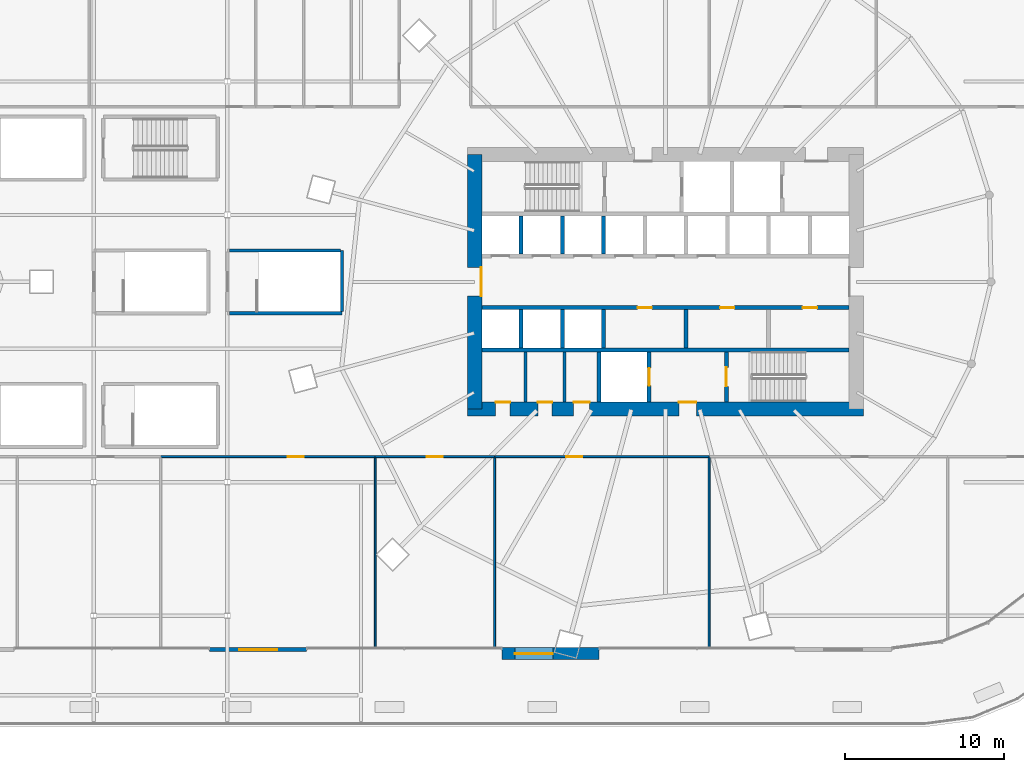
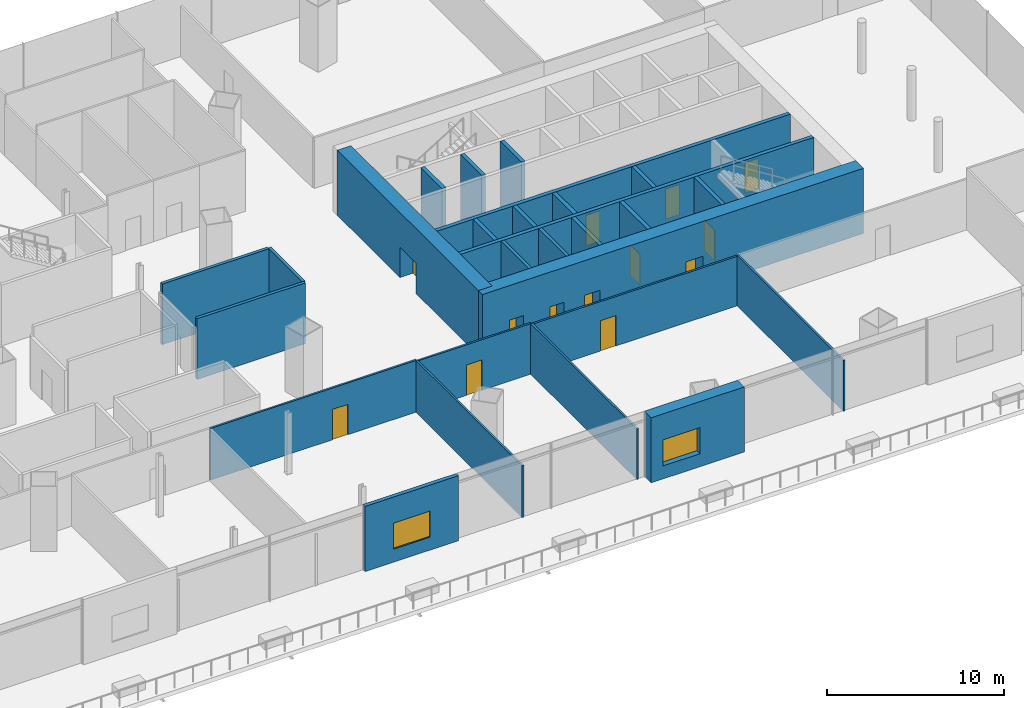
# One storey, part 36 of 49: 27 walls, 13 doors, 2 windows, 15 openings.
"""IFC4 building model written with IfcOpenShell, lengths in metres."""

from ifc_helpers import new_model, si_unit, direction, frame, frame_2d, origin, place, context, subcontext, project, spatial, rectangle, extrude, material, layer, layer_set, type_object, element, fill, save


model = new_model("IFC4")

# Units and contexts
model_context = context("Model", 3, precision=1e-05, world=origin(), true_north=direction((0.0, 1.0)))
body_context = subcontext(model_context, "Body", "Model", "MODEL_VIEW")
ifc_project = project(units=[si_unit("LENGTHUNIT", "METRE"), si_unit("AREAUNIT", "SQUARE_METRE"), si_unit("VOLUMEUNIT", "CUBIC_METRE"), si_unit("PLANEANGLEUNIT", "RADIAN"), si_unit("MASSUNIT", "GRAM", prefix="KILO")], contexts=[model_context])

# Site, building, storey
site_placement = place(None, origin())
site = spatial("IfcSite", under=ifc_project, at=site_placement, CompositionType="ELEMENT")
building_placement = place(site_placement, origin())
building = spatial("IfcBuilding", under=site, at=building_placement, Name="Rimbun Link Towers", CompositionType="ELEMENT")
storey_placement = place(building_placement, frame((0.0, 0.0, 25.5)))
storey = spatial("IfcBuildingStorey", under=building, at=storey_placement, Name="L05", CompositionType="ELEMENT", Elevation=25.5)

# Walls
ifc_material_1 = material(Name="Masonry blockwork", Category="masonry")
ifc_layer_1 = layer(ifc_material_1, 0.199951171875)
ifc_layer_set_1 = layer_set([ifc_layer_1], Name="Core partition 200")
wall_type_1 = type_object("IfcWallType", Name="Core partition 200", PredefinedType="PARTITIONING", material=ifc_layer_set_1)
for number, where, z_axis, x_axis, name in (
    (1, (22.949951171875, -4.39990234375, 0.0), (0.0, 0.0, 1.0), (0.0, -1.0, 0.0), "L05 T2 core wall C1"),
    (2, (25.39990234375, -4.39990234375, 0.0), (0.0, 0.0, 1.0), (0.0, -1.0, 0.0), "L05 T2 core wall C2"),
):
    element("IfcWall", number, at=place(storey_placement, frame(where, z_axis=z_axis, x_axis=x_axis)), inside=storey, type_object=wall_type_1, Name=name, PredefinedType="PARTITIONING", context=body_context, shape_type="SweptSolid", body=[
        extrude(rectangle(XDim=3.150146484375, YDim=0.199951171875, at=frame_2d((1.5751953125, 0.0))), origin(), (0.0, 0.0, 1.0), 4.5),
    ])

# Wall, openings, doors
ifc_material_2 = material(Name="Concrete C60/75", Category="concrete")
ifc_layer_2 = layer(ifc_material_2, 0.89990234375)
ifc_layer_set_2 = layer_set([ifc_layer_2], Name="Core shear wall 900")
wall_type_2 = type_object("IfcWallType", Name="Core shear wall 900", PredefinedType="SHEAR", material=ifc_layer_set_2)
wall_1_placement = place(storey_placement, frame((19.300048828125, -8.0, 0.0), z_axis=(0.0, 0.0, 1.0), x_axis=(1.0, 0.0, 0.0)))
wall_1 = element("IfcWall", 3, at=wall_1_placement, inside=storey, type_object=wall_type_2, Name="L05 T2 core wall S", PredefinedType="SHEAR", context=body_context, shape_type="SweptSolid", body=[
    extrude(rectangle(XDim=24.89990234375, YDim=0.89990234375, at=frame_2d((12.449951171875, 0.0))), origin(), (0.0, 0.0, 1.0), 4.5),
])
opening_1_placement = place(wall_1_placement, frame((13.300048828125, 0.0, 0.0)))
opening_1 = element("IfcOpeningElement", 4, at=opening_1_placement, cuts=wall_1, Name="Opening C2DCF01S", PredefinedType="OPENING", context=body_context, shape_type="SweptSolid", body=[
    extrude(rectangle(XDim=1.10009765625, YDim=2.10009765625, at=frame_2d((0.550048828125, 1.050048828125))), frame((0.0, 0.4599609375, 0.0), z_axis=(0.0, -1.0, 0.0), x_axis=(1.0, 0.0, 0.0)), (0.0, 0.0, 1.0), 0.919921875),
])
opening_2_placement = place(wall_1_placement, frame((1.77490234375, 0.0, 0.0)))
opening_2 = element("IfcOpeningElement", 5, at=opening_2_placement, cuts=wall_1, Name="Opening C2DWC02S", PredefinedType="OPENING", context=body_context, shape_type="SweptSolid", body=[
    extrude(rectangle(XDim=0.89990234375, YDim=2.10009765625, at=frame_2d((0.449951171875, 1.050048828125))), frame((0.0, 0.4599609375, 0.0), z_axis=(0.0, -1.0, 0.0), x_axis=(1.0, 0.0, 0.0)), (0.0, 0.0, 1.0), 0.919921875),
])
opening_3_placement = place(wall_1_placement, frame((4.425048828125, 0.0, 0.0)))
opening_3 = element("IfcOpeningElement", 6, at=opening_3_placement, cuts=wall_1, Name="Opening C2DWC03S", PredefinedType="OPENING", context=body_context, shape_type="SweptSolid", body=[
    extrude(rectangle(XDim=0.89990234375, YDim=2.10009765625, at=frame_2d((0.449951171875, 1.050048828125))), frame((0.0, 0.4599609375, 0.0), z_axis=(0.0, -1.0, 0.0), x_axis=(1.0, 0.0, 0.0)), (0.0, 0.0, 1.0), 0.919921875),
])
opening_4_placement = place(wall_1_placement, frame((6.675048828125, 0.0, 0.0)))
opening_4 = element("IfcOpeningElement", 7, at=opening_4_placement, cuts=wall_1, Name="Opening C2DAW04S", PredefinedType="OPENING", context=body_context, shape_type="SweptSolid", body=[
    extrude(rectangle(XDim=1.0, YDim=2.10009765625, at=frame_2d((0.5, 1.050048828125))), frame((0.0, 0.4599609375, 0.0), z_axis=(0.0, -1.0, 0.0), x_axis=(1.0, 0.0, 0.0)), (0.0, 0.0, 1.0), 0.919921875),
])
ifc_material_3 = material(Name="Timber", Category="wood")
door_type_1 = type_object("IfcDoorType", Name="Accessible WC door", OperationType="SINGLE_SWING_LEFT", PredefinedType="DOOR", material=ifc_material_3)
door_1_placement = place(opening_4_placement, origin())
door_1 = element("IfcDoor", 8, at=door_1_placement, inside=storey, type_object=door_type_1, Name="L05 T2 accessible wc door", OperationType="SINGLE_SWING_RIGHT", OverallHeight=2.10009765625, OverallWidth=1.0, PredefinedType="DOOR", context=body_context, shape_type="SweptSolid", body=[
    extrude(rectangle(XDim=1.0, YDim=2.10009765625, at=frame_2d((0.5, 1.050048828125))), frame((0.0, 0.4501953125, 0.0), z_axis=(0.0, -1.0, 0.0), x_axis=(1.0, 0.0, 0.0)), (0.0, 0.0, 1.0), 0.050048828125),
])
fill(opening_4, door_1)
ifc_material_4 = material(Name="Steel fire door set", Category="steel")
door_type_2 = type_object("IfcDoorType", Name="Core fire door single", OperationType="SINGLE_SWING_LEFT", PredefinedType="DOOR", material=ifc_material_4)
door_2_placement = place(opening_1_placement, origin())
door_2 = element("IfcDoor", 9, at=door_2_placement, inside=storey, type_object=door_type_2, Name="L05 T2 firefighting lobby s door", OperationType="SINGLE_SWING_RIGHT", OverallHeight=2.10009765625, OverallWidth=1.10009765625, PredefinedType="DOOR", context=body_context, shape_type="SweptSolid", body=[
    extrude(rectangle(XDim=1.10009765625, YDim=2.10009765625, at=frame_2d((0.550048828125, 1.050048828125))), frame((0.0, 0.4501953125, 0.0), z_axis=(0.0, -1.0, 0.0), x_axis=(1.0, 0.0, 0.0)), (0.0, 0.0, 1.0), 0.050048828125),
])
fill(opening_1, door_2)
ifc_material_5 = material(Name="Timber", Category="wood")
door_type_3 = type_object("IfcDoorType", Name="WC door", OperationType="SINGLE_SWING_LEFT", PredefinedType="DOOR", material=ifc_material_5)
door_3_placement = place(opening_2_placement, origin())
door_3 = element("IfcDoor", 10, at=door_3_placement, inside=storey, type_object=door_type_3, Name="L05 T2 male wc door", OperationType="SINGLE_SWING_RIGHT", OverallHeight=2.10009765625, OverallWidth=0.89990234375, PredefinedType="DOOR", context=body_context, shape_type="SweptSolid", body=[
    extrude(rectangle(XDim=0.89990234375, YDim=2.10009765625, at=frame_2d((0.449951171875, 1.050048828125))), frame((0.0, 0.4501953125, 0.0), z_axis=(0.0, -1.0, 0.0), x_axis=(1.0, 0.0, 0.0)), (0.0, 0.0, 1.0), 0.050048828125),
])
fill(opening_2, door_3)
door_4_placement = place(opening_3_placement, origin())
door_4 = element("IfcDoor", 11, at=door_4_placement, inside=storey, type_object=door_type_3, Name="L05 T2 female wc door", OperationType="SINGLE_SWING_RIGHT", OverallHeight=2.10009765625, OverallWidth=0.89990234375, PredefinedType="DOOR", context=body_context, shape_type="SweptSolid", body=[
    extrude(rectangle(XDim=0.89990234375, YDim=2.10009765625, at=frame_2d((0.449951171875, 1.050048828125))), frame((0.0, 0.4501953125, 0.0), z_axis=(0.0, -1.0, 0.0), x_axis=(1.0, 0.0, 0.0)), (0.0, 0.0, 1.0), 0.050048828125),
])
fill(opening_3, door_4)

# Wall, opening, door
wall_2_placement = place(storey_placement, frame((19.75, -8.0, 0.0), z_axis=(0.0, 0.0, 1.0), x_axis=(0.0, 1.0, 0.0)))
wall_2 = element("IfcWall", 12, at=wall_2_placement, inside=storey, type_object=wall_type_2, Name="L05 T2 core wall W", PredefinedType="SHEAR", context=body_context, shape_type="SweptSolid", body=[
    extrude(rectangle(XDim=16.0, YDim=0.89990234375, at=frame_2d((8.0, 0.0))), origin(), (0.0, 0.0, 1.0), 4.5),
])
opening_5_placement = place(wall_2_placement, frame((7.10009765625, 0.0, 0.0)))
opening_5 = element("IfcOpeningElement", 13, at=opening_5_placement, cuts=wall_2, Name="Opening C2DCL01W", PredefinedType="OPENING", context=body_context, shape_type="SweptSolid", body=[
    extrude(rectangle(XDim=1.800048828125, YDim=2.10009765625, at=frame_2d((0.89990234375, 1.050048828125))), frame((0.0, 0.4599609375, 0.0), z_axis=(0.0, -1.0, 0.0), x_axis=(1.0, 0.0, 0.0)), (0.0, 0.0, 1.0), 0.919921875),
])
ifc_material_6 = material(Name="Steel fire door set", Category="steel")
door_type_4 = type_object("IfcDoorType", Name="Core lobby door double", OperationType="DOUBLE_DOOR_SINGLE_SWING", PredefinedType="DOOR", material=ifc_material_6)
door_5_placement = place(opening_5_placement, origin())
door_5 = element("IfcDoor", 14, at=door_5_placement, inside=storey, type_object=door_type_4, Name="L05 T2 lift lobby door", OperationType="DOUBLE_DOOR_SINGLE_SWING", OverallHeight=2.10009765625, OverallWidth=1.800048828125, PredefinedType="DOOR", context=body_context, shape_type="SweptSolid", body=[
    extrude(rectangle(XDim=1.800048828125, YDim=2.10009765625, at=frame_2d((0.89990234375, 1.050048828125))), frame((0.0, -0.39990234375, 0.0), z_axis=(0.0, -1.0, 0.0), x_axis=(1.0, 0.0, 0.0)), (0.0, 0.0, 1.0), 0.050048828125),
])
fill(opening_5, door_5)

# Wall, opening, window
ifc_material_7 = material(Name="Concrete C32/40, terracotta rainscreen cladding", Category="masonry")
ifc_layer_3 = layer(ifc_material_7, 0.25)
ifc_layer_set_3 = layer_set([ifc_layer_3], Name="PD solid bay wall 250")
wall_type_3 = type_object("IfcWallType", Name="PD solid bay wall 250", PredefinedType="STANDARD", material=ifc_layer_set_3)
wall_3_placement = place(storey_placement, frame((9.179931640625, -23.125, 0.0), z_axis=(0.0, 0.0, 1.0), x_axis=(-1.0, 0.0, 0.0)))
wall_3 = element("IfcWall", 15, at=wall_3_placement, inside=storey, type_object=wall_type_3, Name="Solid bay wall", PredefinedType="STANDARD", context=body_context, shape_type="SweptSolid", body=[
    extrude(rectangle(XDim=6.09326171875, YDim=0.25, at=frame_2d((3.046630859375, 0.0))), origin(), (0.0, 0.0, 1.0), 4.5),
])
opening_6_placement = place(wall_3_placement, frame((1.8466796875, 0.0, 0.89990234375)))
opening_6 = element("IfcOpeningElement", 16, at=opening_6_placement, cuts=wall_3, Name="Opening WN21", PredefinedType="OPENING", context=body_context, shape_type="SweptSolid", body=[
    extrude(rectangle(XDim=2.39990234375, YDim=1.800048828125, at=frame_2d((1.199951171875, 0.89990234375))), frame((0.0, 0.135009765625, 0.0), z_axis=(0.0, -1.0, 0.0), x_axis=(1.0, 0.0, 0.0)), (0.0, 0.0, 1.0), 0.27001953125),
])
ifc_material_8 = material(Name="Aluminium framed window, low-iron glass", Category="aluminium")
window_type = type_object("IfcWindowType", Name="W1 podium window 2400X1800", PartitioningType="SINGLE_PANEL", PredefinedType="WINDOW", material=ifc_material_8)
window_1_placement = place(opening_6_placement, origin())
window_1 = element("IfcWindow", 17, at=window_1_placement, inside=storey, type_object=window_type, Name="Podium window", OverallHeight=1.800048828125, OverallWidth=2.39990234375, PartitioningType="SINGLE_PANEL", PredefinedType="WINDOW", context=body_context, shape_type="SweptSolid", body=[
    extrude(rectangle(XDim=2.39990234375, YDim=1.800048828125, at=frame_2d((1.199951171875, 0.89990234375))), frame((0.0, 0.030029296875, 0.0), z_axis=(0.0, -1.0, 0.0), x_axis=(1.0, 0.0, 0.0)), (0.0, 0.0, 1.0), 0.06005859375),
])
fill(opening_6, window_1)

ifc_material_9 = material(Name="Concrete C32/40, terracotta rainscreen cladding", Category="masonry")
ifc_layer_4 = layer(ifc_material_9, 0.760009765625)
ifc_layer_set_4 = layer_set([ifc_layer_4], Name="PD solid bay wall 760")
wall_type_4 = type_object("IfcWallType", Name="PD solid bay wall 760", PredefinedType="STANDARD", material=ifc_layer_set_4)
wall_4_placement = place(storey_placement, frame((27.580078125, -23.3798828125, 0.0), z_axis=(0.0, 0.0, 1.0), x_axis=(-1.0, 0.0, 0.0)))
wall_4 = element("IfcWall", 18, at=wall_4_placement, inside=storey, type_object=wall_type_4, Name="Solid bay wall", PredefinedType="STANDARD", context=body_context, shape_type="SweptSolid", body=[
    extrude(rectangle(XDim=6.093505859375, YDim=0.760009765625, at=frame_2d((3.046875, 0.0))), origin(), (0.0, 0.0, 1.0), 4.5),
])
opening_7_placement = place(wall_4_placement, frame((2.9052734375, 0.0, 0.89990234375)))
opening_7 = element("IfcOpeningElement", 19, at=opening_7_placement, cuts=wall_4, Name="Opening WN22", PredefinedType="OPENING", context=body_context, shape_type="SweptSolid", body=[
    extrude(rectangle(XDim=2.39990234375, YDim=1.800048828125, at=frame_2d((1.199951171875, 0.89990234375))), frame((0.0, 0.389892578125, 0.0), z_axis=(0.0, -1.0, 0.0), x_axis=(1.0, 0.0, 0.0)), (0.0, 0.0, 1.0), 0.780029296875),
])
window_2_placement = place(opening_7_placement, origin())
window_2 = element("IfcWindow", 20, at=window_2_placement, inside=storey, type_object=window_type, Name="Podium window", OverallHeight=1.800048828125, OverallWidth=2.39990234375, PartitioningType="SINGLE_PANEL", PredefinedType="WINDOW", context=body_context, shape_type="SweptSolid", body=[
    extrude(rectangle(XDim=2.39990234375, YDim=1.800048828125, at=frame_2d((1.199951171875, 0.89990234375))), frame((0.0, 0.030029296875, 0.0), z_axis=(0.0, -1.0, 0.0), x_axis=(1.0, 0.0, 0.0)), (0.0, 0.0, 1.0), 0.06005859375),
])
fill(opening_7, window_2)

# Wall, opening, door
ifc_material_10 = material(Name="Gypsum board on steel studs", Category="steel")
ifc_layer_5 = layer(ifc_material_10, 0.125)
ifc_layer_set_5 = layer_set([ifc_layer_5], Name="Partition 125 board on studs")
wall_type_5 = type_object("IfcWallType", Name="Partition 125 board on studs", PredefinedType="PARTITIONING", material=ifc_layer_set_5)
wall_5_placement = place(storey_placement, frame((0.0, -11.0, 0.0), z_axis=(0.0, 0.0, 1.0), x_axis=(1.0, 0.0, 0.0)))
wall_5 = element("IfcWall", 21, at=wall_5_placement, inside=storey, type_object=wall_type_5, Name="PD/PW/L05/030", PredefinedType="PARTITIONING", context=body_context, shape_type="SweptSolid", body=[
    extrude(rectangle(XDim=13.5, YDim=0.125, at=frame_2d((6.75, 0.0))), origin(), (0.0, 0.0, 1.0), 3.576904296875),
])
opening_8_placement = place(wall_5_placement, frame((7.989990234375, 0.0, 0.0)))
opening_8 = element("IfcOpeningElement", 22, at=opening_8_placement, cuts=wall_5, Name="Opening PD D05.06", PredefinedType="OPENING", context=body_context, shape_type="SweptSolid", body=[
    extrude(rectangle(XDim=1.0, YDim=2.10009765625, at=frame_2d((0.5, 1.050048828125))), frame((0.0, 0.072509765625, 0.0), z_axis=(0.0, -1.0, 0.0), x_axis=(1.0, 0.0, 0.0)), (0.0, 0.0, 1.0), 0.14501953125),
])
ifc_material_11 = material(Name="Timber door set", Category="wood")
door_type_5 = type_object("IfcDoorType", Name="Door single leaf 1000 x 2100", OperationType="NOTDEFINED", PredefinedType="DOOR", material=ifc_material_11)
door_6_placement = place(opening_8_placement, origin())
door_6 = element("IfcDoor", 23, at=door_6_placement, inside=storey, type_object=door_type_5, Name="PD/DR/L05/006", OperationType="SINGLE_SWING_LEFT", OverallHeight=2.10009765625, OverallWidth=1.0, PredefinedType="DOOR", context=body_context, shape_type="SweptSolid", body=[
    extrude(rectangle(XDim=1.0, YDim=2.10009765625, at=frame_2d((0.5, 1.050048828125))), frame((0.0, 0.02490234375, 0.0), z_axis=(0.0, -1.0, 0.0), x_axis=(1.0, 0.0, 0.0)), (0.0, 0.0, 1.0), 0.050048828125),
])
fill(opening_8, door_6)

wall_6_placement = place(storey_placement, frame((13.5, -11.0, 0.0), z_axis=(0.0, 0.0, 1.0), x_axis=(1.0, 0.0, 0.0)))
wall_6 = element("IfcWall", 24, at=wall_6_placement, inside=storey, type_object=wall_type_5, Name="PD/PW/L05/031", PredefinedType="PARTITIONING", context=body_context, shape_type="SweptSolid", body=[
    extrude(rectangle(XDim=7.5, YDim=0.125, at=frame_2d((3.75, 0.0))), origin(), (0.0, 0.0, 1.0), 3.49609375),
])
opening_9_placement = place(wall_6_placement, frame((3.25, 0.0, 0.0)))
opening_9 = element("IfcOpeningElement", 25, at=opening_9_placement, cuts=wall_6, Name="Opening PD D05.07", PredefinedType="OPENING", context=body_context, shape_type="SweptSolid", body=[
    extrude(rectangle(XDim=1.0, YDim=2.10009765625, at=frame_2d((0.5, 1.050048828125))), frame((0.0, 0.072509765625, 0.0), z_axis=(0.0, -1.0, 0.0), x_axis=(1.0, 0.0, 0.0)), (0.0, 0.0, 1.0), 0.14501953125),
])
door_7_placement = place(opening_9_placement, origin())
door_7 = element("IfcDoor", 26, at=door_7_placement, inside=storey, type_object=door_type_5, Name="PD/DR/L05/007", OperationType="SINGLE_SWING_RIGHT", OverallHeight=2.10009765625, OverallWidth=1.0, PredefinedType="DOOR", context=body_context, shape_type="SweptSolid", body=[
    extrude(rectangle(XDim=1.0, YDim=2.10009765625, at=frame_2d((0.5, 1.050048828125))), frame((0.0, 0.02490234375, 0.0), z_axis=(0.0, -1.0, 0.0), x_axis=(1.0, 0.0, 0.0)), (0.0, 0.0, 1.0), 0.050048828125),
])
fill(opening_9, door_7)

wall_7_placement = place(storey_placement, frame((21.0, -11.0, 0.0), z_axis=(0.0, 0.0, 1.0), x_axis=(1.0, 0.0, 0.0)))
wall_7 = element("IfcWall", 27, at=wall_7_placement, inside=storey, type_object=wall_type_5, Name="PD/PW/L05/032", PredefinedType="PARTITIONING", context=body_context, shape_type="SweptSolid", body=[
    extrude(rectangle(XDim=13.5, YDim=0.125, at=frame_2d((6.75, 0.0))), origin(), (0.0, 0.0, 1.0), 3.41796875),
])
opening_10_placement = place(wall_7_placement, frame((4.510009765625, 0.0, 0.0)))
opening_10 = element("IfcOpeningElement", 28, at=opening_10_placement, cuts=wall_7, Name="Opening PD D05.08", PredefinedType="OPENING", context=body_context, shape_type="SweptSolid", body=[
    extrude(rectangle(XDim=1.0, YDim=2.10009765625, at=frame_2d((0.5, 1.050048828125))), frame((0.0, 0.072509765625, 0.0), z_axis=(0.0, -1.0, 0.0), x_axis=(1.0, 0.0, 0.0)), (0.0, 0.0, 1.0), 0.14501953125),
])
door_8_placement = place(opening_10_placement, origin())
door_8 = element("IfcDoor", 29, at=door_8_placement, inside=storey, type_object=door_type_5, Name="PD/DR/L05/008", OperationType="SINGLE_SWING_LEFT", OverallHeight=2.10009765625, OverallWidth=1.0, PredefinedType="DOOR", context=body_context, shape_type="SweptSolid", body=[
    extrude(rectangle(XDim=1.0, YDim=2.10009765625, at=frame_2d((0.5, 1.050048828125))), frame((0.0, 0.02490234375, 0.0), z_axis=(0.0, -1.0, 0.0), x_axis=(1.0, 0.0, 0.0)), (0.0, 0.0, 1.0), 0.050048828125),
])
fill(opening_10, door_8)

# Walls
wall_8_placement = place(storey_placement, frame((13.5, -23.080078125, 0.0), z_axis=(0.0, 0.0, 1.0), x_axis=(0.0, 1.0, 0.0)))
element("IfcWall", 30, at=wall_8_placement, inside=storey, type_object=wall_type_5, Name="PD/PW/L05/051", PredefinedType="PARTITIONING", context=body_context, shape_type="SweptSolid", body=[
    extrude(rectangle(XDim=12.017578125, YDim=0.125, at=frame_2d((6.0087890625, 0.0))), origin(), (0.0, 0.0, 1.0), 3.576904296875),
])
for number, where, z_axis, x_axis, name in (
    (31, (21.0, -23.080078125, 0.0), (0.0, 0.0, 1.0), (0.0, 1.0, 0.0), "PD/PW/L05/052"),
    (32, (34.5, -23.080078125, 0.0), (0.0, 0.0, 1.0), (0.0, 1.0, 0.0), "PD/PW/L05/053"),
):
    element("IfcWall", number, at=place(storey_placement, frame(where, z_axis=z_axis, x_axis=x_axis)), inside=storey, type_object=wall_type_5, Name=name, PredefinedType="PARTITIONING", context=body_context, shape_type="SweptSolid", body=[
        extrude(rectangle(XDim=12.017578125, YDim=0.125, at=frame_2d((6.0087890625, 0.0))), origin(), (0.0, 0.0, 1.0), 3.49609375),
    ])
ifc_material_12 = material(Name="Concrete C60/75", Category="concrete")
ifc_layer_6 = layer(ifc_material_12, 0.25)
ifc_layer_set_6 = layer_set([ifc_layer_6], Name="Shaft wall 250")
wall_type_6 = type_object("IfcWallType", Name="Shaft wall 250", PredefinedType="SHEAR", material=ifc_layer_set_6)
wall_9_placement = place(storey_placement, frame((20.199951171875, -4.27490234375, 0.0), z_axis=(0.0, 0.0, 1.0), x_axis=(1.0, 0.0, 0.0)))
element("IfcWall", 33, at=wall_9_placement, inside=storey, type_object=wall_type_6, Name="L05 T2 core wall BS", PredefinedType="SHEAR", context=body_context, shape_type="SweptSolid", body=[
    extrude(rectangle(XDim=23.10009765625, YDim=0.25, at=frame_2d((11.550048828125, 0.0))), origin(), (0.0, 0.0, 1.0), 4.5),
])

# Wall, openings, doors
wall_10_placement = place(storey_placement, frame((20.199951171875, -1.625, 0.0), z_axis=(0.0, 0.0, 1.0), x_axis=(1.0, 0.0, 0.0)))
wall_10 = element("IfcWall", 34, at=wall_10_placement, inside=storey, type_object=wall_type_6, Name="L05 T2 core wall FS", PredefinedType="SHEAR", context=body_context, shape_type="SweptSolid", body=[
    extrude(rectangle(XDim=23.10009765625, YDim=0.25, at=frame_2d((11.550048828125, 0.0))), origin(), (0.0, 0.0, 1.0), 4.5),
])
opening_11_placement = place(wall_10_placement, frame((9.802734375, 0.0, 0.0)))
opening_11 = element("IfcOpeningElement", 35, at=opening_11_placement, cuts=wall_10, Name="Opening C2DRS01FS", PredefinedType="OPENING", context=body_context, shape_type="SweptSolid", body=[
    extrude(rectangle(XDim=0.89990234375, YDim=2.10009765625, at=frame_2d((0.449951171875, 1.050048828125))), frame((0.0, 0.135009765625, 0.0), z_axis=(0.0, -1.0, 0.0), x_axis=(1.0, 0.0, 0.0)), (0.0, 0.0, 1.0), 0.27001953125),
])
opening_12_placement = place(wall_10_placement, frame((14.99169921875, 0.0, 0.0)))
opening_12 = element("IfcOpeningElement", 36, at=opening_12_placement, cuts=wall_10, Name="Opening C2DRS02FS", PredefinedType="OPENING", context=body_context, shape_type="SweptSolid", body=[
    extrude(rectangle(XDim=0.89990234375, YDim=2.10009765625, at=frame_2d((0.449951171875, 1.050048828125))), frame((0.0, 0.135009765625, 0.0), z_axis=(0.0, -1.0, 0.0), x_axis=(1.0, 0.0, 0.0)), (0.0, 0.0, 1.0), 0.27001953125),
])
opening_13_placement = place(wall_10_placement, frame((20.1806640625, 0.0, 0.0)))
opening_13 = element("IfcOpeningElement", 37, at=opening_13_placement, cuts=wall_10, Name="Opening C2DRS03FS", PredefinedType="OPENING", context=body_context, shape_type="SweptSolid", body=[
    extrude(rectangle(XDim=0.89990234375, YDim=2.10009765625, at=frame_2d((0.449951171875, 1.050048828125))), frame((0.0, 0.135009765625, 0.0), z_axis=(0.0, -1.0, 0.0), x_axis=(1.0, 0.0, 0.0)), (0.0, 0.0, 1.0), 0.27001953125),
])
ifc_material_13 = material(Name="Steel fire door set", Category="steel")
door_type_6 = type_object("IfcDoorType", Name="Core riser door", OperationType="SINGLE_SWING_LEFT", PredefinedType="DOOR", material=ifc_material_13)
door_9_placement = place(opening_11_placement, origin())
door_9 = element("IfcDoor", 38, at=door_9_placement, inside=storey, type_object=door_type_6, Name="L05 T2 server room door", OperationType="SINGLE_SWING_LEFT", OverallHeight=2.10009765625, OverallWidth=0.89990234375, PredefinedType="DOOR", context=body_context, shape_type="SweptSolid", body=[
    extrude(rectangle(XDim=0.89990234375, YDim=2.10009765625, at=frame_2d((0.449951171875, 1.050048828125))), frame((0.0, 0.02490234375, 0.0), z_axis=(0.0, -1.0, 0.0), x_axis=(1.0, 0.0, 0.0)), (0.0, 0.0, 1.0), 0.050048828125),
])
fill(opening_11, door_9)
door_10_placement = place(opening_12_placement, origin())
door_10 = element("IfcDoor", 39, at=door_10_placement, inside=storey, type_object=door_type_6, Name="L05 T2 print room door", OperationType="SINGLE_SWING_LEFT", OverallHeight=2.10009765625, OverallWidth=0.89990234375, PredefinedType="DOOR", context=body_context, shape_type="SweptSolid", body=[
    extrude(rectangle(XDim=0.89990234375, YDim=2.10009765625, at=frame_2d((0.449951171875, 1.050048828125))), frame((0.0, 0.02490234375, 0.0), z_axis=(0.0, -1.0, 0.0), x_axis=(1.0, 0.0, 0.0)), (0.0, 0.0, 1.0), 0.050048828125),
])
fill(opening_12, door_10)
door_11_placement = place(opening_13_placement, origin())
door_11 = element("IfcDoor", 40, at=door_11_placement, inside=storey, type_object=door_type_6, Name="L05 T2 staff lounge door", OperationType="SINGLE_SWING_RIGHT", OverallHeight=2.10009765625, OverallWidth=0.89990234375, PredefinedType="DOOR", context=body_context, shape_type="SweptSolid", body=[
    extrude(rectangle(XDim=0.89990234375, YDim=2.10009765625, at=frame_2d((0.449951171875, 1.050048828125))), frame((0.0, 0.02490234375, 0.0), z_axis=(0.0, -1.0, 0.0), x_axis=(1.0, 0.0, 0.0)), (0.0, 0.0, 1.0), 0.050048828125),
])
fill(opening_13, door_11)

# Walls
for number, where, z_axis, x_axis, name in (
    (41, (22.66943359375, 1.75, 0.0), (0.0, 0.0, 1.0), (0.0, 1.0, 0.0), "L05 T2 core wall DN0"),
    (42, (25.263916015625, 1.75, 0.0), (0.0, 0.0, 1.0), (0.0, 1.0, 0.0), "L05 T2 core wall DN1"),
    (43, (27.8583984375, 1.75, 0.0), (0.0, 0.0, 1.0), (0.0, 1.0, 0.0), "L05 T2 core wall DN2"),
    (44, (22.66943359375, -4.14990234375, 0.0), (0.0, 0.0, 1.0), (0.0, 1.0, 0.0), "L05 T2 core wall DS0"),
    (45, (25.263916015625, -4.14990234375, 0.0), (0.0, 0.0, 1.0), (0.0, 1.0, 0.0), "L05 T2 core wall DS1"),
    (46, (27.8583984375, -4.14990234375, 0.0), (0.0, 0.0, 1.0), (0.0, 1.0, 0.0), "L05 T2 core wall DS2"),
    (47, (33.047119140625, -4.14990234375, 0.0), (0.0, 0.0, 1.0), (0.0, 1.0, 0.0), "L05 T2 core wall DS4"),
):
    element("IfcWall", number, at=place(storey_placement, frame(where, z_axis=z_axis, x_axis=x_axis)), inside=storey, type_object=wall_type_6, Name=name, PredefinedType="SHEAR", context=body_context, shape_type="SweptSolid", body=[
        extrude(rectangle(XDim=2.39990234375, YDim=0.25, at=frame_2d((1.199951171875, 0.0))), origin(), (0.0, 0.0, 1.0), 4.5),
    ])

# Wall, opening, door
wall_11_placement = place(storey_placement, frame((35.574951171875, -4.39990234375, 0.0), z_axis=(0.0, 0.0, 1.0), x_axis=(0.0, -1.0, 0.0)))
wall_11 = element("IfcWall", 48, at=wall_11_placement, inside=storey, type_object=wall_type_6, Name="L05 T2 core wall B1", PredefinedType="SHEAR", context=body_context, shape_type="SweptSolid", body=[
    extrude(rectangle(XDim=3.150146484375, YDim=0.25, at=frame_2d((1.5751953125, 0.0))), origin(), (0.0, 0.0, 1.0), 4.5),
])
opening_14_placement = place(wall_11_placement, frame((0.97509765625, 0.0, 0.0)))
opening_14 = element("IfcOpeningElement", 49, at=opening_14_placement, cuts=wall_11, Name="Opening C2DST01B1", PredefinedType="OPENING", context=body_context, shape_type="SweptSolid", body=[
    extrude(rectangle(XDim=1.199951171875, YDim=2.10009765625, at=frame_2d((0.60009765625, 1.050048828125))), frame((0.0, 0.135009765625, 0.0), z_axis=(0.0, -1.0, 0.0), x_axis=(1.0, 0.0, 0.0)), (0.0, 0.0, 1.0), 0.27001953125),
])
ifc_material_14 = material(Name="Steel fire door set", Category="steel")
door_type_7 = type_object("IfcDoorType", Name="Stair door", OperationType="SINGLE_SWING_LEFT", PredefinedType="DOOR", material=ifc_material_14)
door_12_placement = place(opening_14_placement, origin())
door_12 = element("IfcDoor", 50, at=door_12_placement, inside=storey, type_object=door_type_7, Name="L05 T2 stair b door", OperationType="SINGLE_SWING_RIGHT", OverallHeight=2.10009765625, OverallWidth=1.199951171875, PredefinedType="DOOR", context=body_context, shape_type="SweptSolid", body=[
    extrude(rectangle(XDim=1.199951171875, YDim=2.10009765625, at=frame_2d((0.60009765625, 1.050048828125))), frame((0.0, 0.02490234375, 0.0), z_axis=(0.0, -1.0, 0.0), x_axis=(1.0, 0.0, 0.0)), (0.0, 0.0, 1.0), 0.050048828125),
])
fill(opening_14, door_12)

wall_12_placement = place(storey_placement, frame((30.72509765625, -4.39990234375, 0.0), z_axis=(0.0, 0.0, 1.0), x_axis=(0.0, -1.0, 0.0)))
wall_12 = element("IfcWall", 51, at=wall_12_placement, inside=storey, type_object=wall_type_6, Name="L05 T2 core wall B2", PredefinedType="SHEAR", context=body_context, shape_type="SweptSolid", body=[
    extrude(rectangle(XDim=3.150146484375, YDim=0.25, at=frame_2d((1.5751953125, 0.0))), origin(), (0.0, 0.0, 1.0), 4.5),
])
opening_15_placement = place(wall_12_placement, frame((1.02490234375, 0.0, 0.0)))
opening_15 = element("IfcOpeningElement", 52, at=opening_15_placement, cuts=wall_12, Name="Opening LD-T2-FF2", PredefinedType="OPENING", context=body_context, shape_type="SweptSolid", body=[
    extrude(rectangle(XDim=1.10009765625, YDim=2.10009765625, at=frame_2d((0.550048828125, 1.050048828125))), frame((0.0, 0.135009765625, 0.0), z_axis=(0.0, -1.0, 0.0), x_axis=(1.0, 0.0, 0.0)), (0.0, 0.0, 1.0), 0.27001953125),
])
ifc_material_15 = material(Name="Stainless steel grade 316", Category="steel")
door_type_8 = type_object("IfcDoorType", Name="Lift landing door", OperationType="DOUBLE_DOOR_SLIDING", PredefinedType="DOOR", material=ifc_material_15)
door_13_placement = place(opening_15_placement, origin())
door_13 = element("IfcDoor", 53, at=door_13_placement, inside=storey, type_object=door_type_8, Name="L05 T2 lift FF2 landing door", OperationType="DOUBLE_DOOR_SLIDING", OverallHeight=2.10009765625, OverallWidth=1.10009765625, PredefinedType="DOOR", context=body_context, shape_type="SweptSolid", body=[
    extrude(rectangle(XDim=1.10009765625, YDim=2.10009765625, at=frame_2d((0.550048828125, 1.050048828125))), frame((0.0, 0.02490234375, 0.0), z_axis=(0.0, -1.0, 0.0), x_axis=(1.0, 0.0, 0.0)), (0.0, 0.0, 1.0), 0.050048828125),
])
fill(opening_15, door_13)

# Walls
wall_13_placement = place(storey_placement, frame((27.574951171875, -4.39990234375, 0.0), z_axis=(0.0, 0.0, 1.0), x_axis=(0.0, -1.0, 0.0)))
element("IfcWall", 54, at=wall_13_placement, inside=storey, type_object=wall_type_6, Name="L05 T2 core wall B3", PredefinedType="SHEAR", context=body_context, shape_type="SweptSolid", body=[
    extrude(rectangle(XDim=3.150146484375, YDim=0.25, at=frame_2d((1.5751953125, 0.0))), origin(), (0.0, 0.0, 1.0), 4.5),
])
ifc_material_16 = material(Name="Concrete C40/50", Category="concrete")
ifc_layer_7 = layer(ifc_material_16, 0.199951171875)
ifc_layer_set_7 = layer_set([ifc_layer_7], Name="Stair shaft wall 200")
wall_type_7 = type_object("IfcWallType", Name="Stair shaft wall 200", PredefinedType="SOLIDWALL", material=ifc_layer_set_7)
wall_14_placement = place(storey_placement, frame((4.333740234375, -1.97509765625, 0.0), z_axis=(0.0, 0.0, 1.0), x_axis=(1.0, 0.0, 0.0)))
element("IfcWall", 55, at=wall_14_placement, inside=storey, type_object=wall_type_7, Name="PD/PW/L05/017b", PredefinedType="SOLIDWALL", context=body_context, shape_type="SweptSolid", body=[
    extrude(rectangle(XDim=7.066162109375, YDim=0.199951171875, at=frame_2d((3.533203125, 0.0))), origin(), (0.0, 0.0, 1.0), 4.199951171875),
])
wall_15_placement = place(storey_placement, frame((11.39990234375, -1.875, 0.0), z_axis=(0.0, 0.0, 1.0), x_axis=(0.0, 1.0, 0.0)))
element("IfcWall", 56, at=wall_15_placement, inside=storey, type_object=wall_type_7, Name="PD/PW/L05/018", PredefinedType="SOLIDWALL", context=body_context, shape_type="SweptSolid", body=[
    extrude(rectangle(XDim=3.85009765625, YDim=0.199951171875, at=frame_2d((1.925048828125, 0.0))), origin(), (0.0, 0.0, 1.0), 4.199951171875),
])
wall_16_placement = place(storey_placement, frame((11.300048828125, 1.97509765625, 0.0), z_axis=(0.0, 0.0, 1.0), x_axis=(-1.0, 0.0, 0.0)))
element("IfcWall", 57, at=wall_16_placement, inside=storey, type_object=wall_type_7, Name="PD/PW/L05/019", PredefinedType="SOLIDWALL", context=body_context, shape_type="SweptSolid", body=[
    extrude(rectangle(XDim=6.96630859375, YDim=0.199951171875, at=frame_2d((3.483154296875, 0.0))), origin(), (0.0, 0.0, 1.0), 4.199951171875),
])

save(model, "model.ifc")
